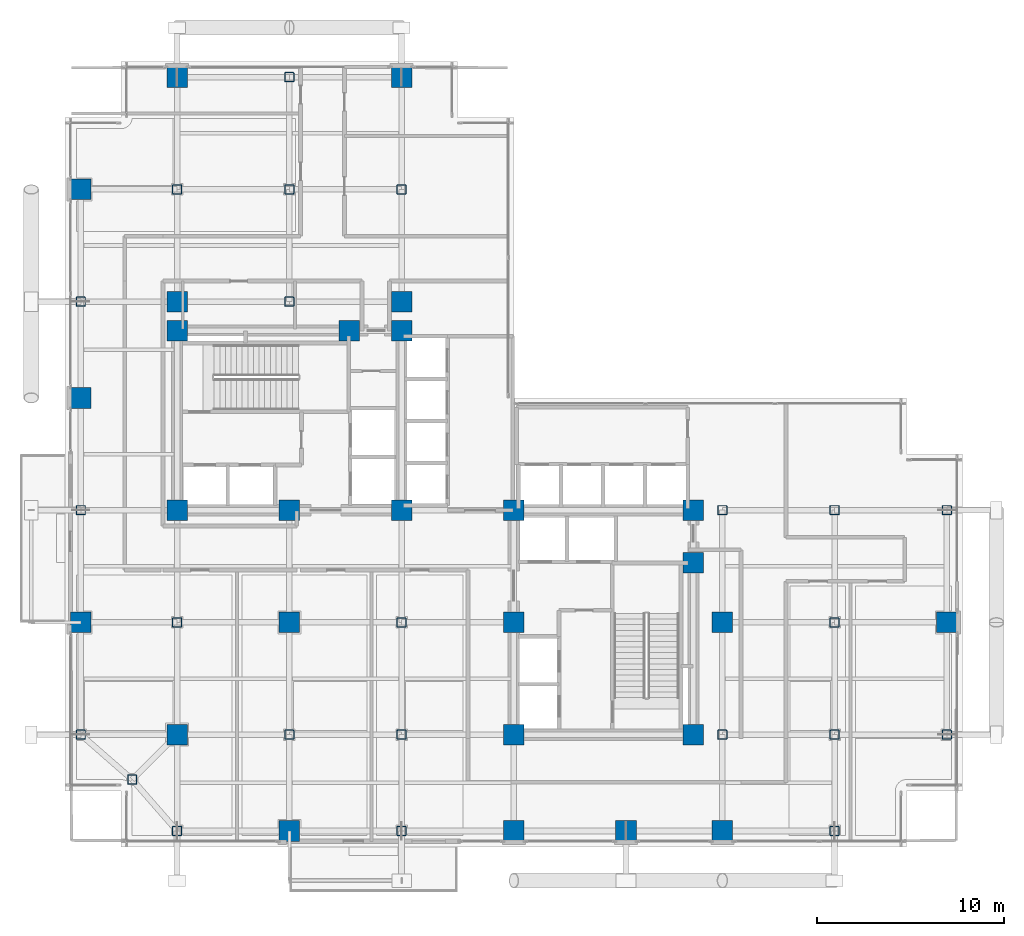
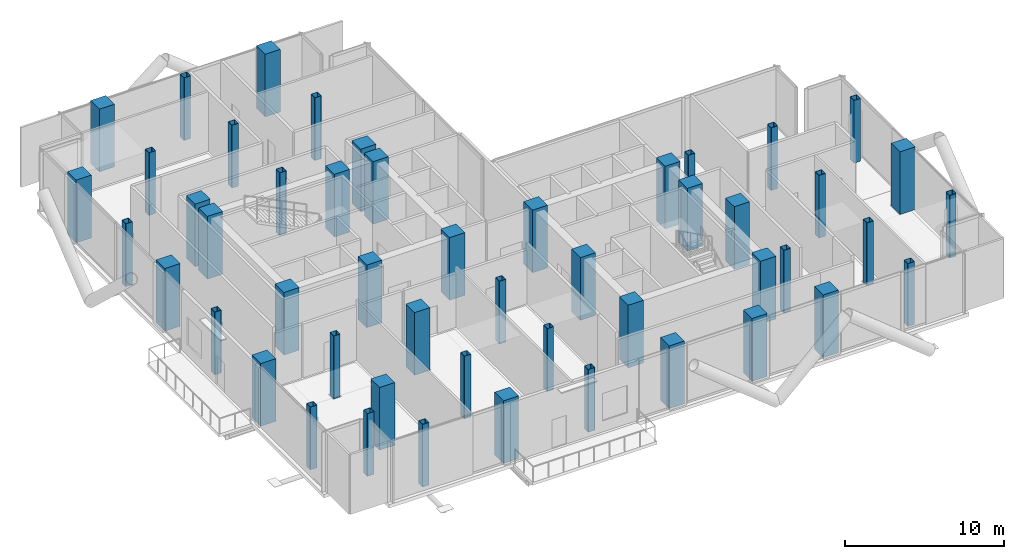
# One storey, part 1 of 25: 50 columns.
"""IFC4 building model written with IfcOpenShell, lengths in metres."""

from ifc_helpers import new_model, si_unit, direction, frame, origin, origin_2d, place, context, subcontext, project, spatial, rectangle, hollow_rectangle, extrude, material, material_profile, profile_set, type_object, element, save


model = new_model("IFC4")

# Units and contexts
model_context = context("Model", 3, precision=1e-05, world=origin(), true_north=direction((0.0, 1.0)))
body_context = subcontext(model_context, "Body", "Model", "MODEL_VIEW")
ifc_project = project(units=[si_unit("LENGTHUNIT", "METRE"), si_unit("AREAUNIT", "SQUARE_METRE"), si_unit("VOLUMEUNIT", "CUBIC_METRE"), si_unit("PLANEANGLEUNIT", "RADIAN"), si_unit("MASSUNIT", "GRAM", prefix="KILO"), si_unit("THERMODYNAMICTEMPERATUREUNIT", "KELVIN"), si_unit("POWERUNIT", "WATT")], contexts=[model_context])

# Site, building, storey
site_placement = place(None, origin())
site = spatial("IfcSite", under=ifc_project, at=site_placement, CompositionType="ELEMENT")
building_placement = place(site_placement, origin())
building = spatial("IfcBuilding", under=site, at=building_placement, Name="Svarakhadi Broadcast Tower", CompositionType="ELEMENT")
storey_placement = place(building_placement, frame((0.0, 0.0, 110.85009765625)))
storey = spatial("IfcBuildingStorey", under=building, at=storey_placement, Name="L26", CompositionType="ELEMENT", Elevation=110.85009765625)

# Columns
ifc_material_1 = material(Name="Concrete C50/60 (IS 456 M60)", Category="concrete")
ifc_material_profile_1 = material_profile(ifc_material_1, rectangle(XDim=1.10009765625, YDim=1.10009765625, at=origin_2d()), Name="RC 1100x1100")
ifc_profile_set_1 = profile_set([ifc_material_profile_1], Name="Concrete C50/60 (IS 456 M60)")
column_type_1 = type_object("IfcColumnType", Name="Col_RC1100", PredefinedType="COLUMN", material=ifc_profile_set_1)
for number, where, z_axis, x_axis, name in (
    (1, (6.0, 18.0, 0.0), (0.0, 0.0, 1.0), (1.0, 0.0, 0.0), "L26 Column CW1"),
    (2, (12.0, 18.0, 0.0), (0.0, 0.0, 1.0), (1.0, 0.0, 0.0), "L26 Column CW2"),
    (3, (18.0, 18.0, 0.0), (0.0, 0.0, 1.0), (1.0, 0.0, 0.0), "L26 Column CW3"),
    (4, (6.0, 27.60009765625, 0.0), (0.0, 0.0, 1.0), (1.0, 0.0, 0.0), "L26 Column CW4"),
    (5, (15.199951171875, 27.60009765625, 0.0), (0.0, 0.0, 1.0), (1.0, 0.0, 0.0), "L26 Column CW5"),
    (6, (18.0, 27.60009765625, 0.0), (0.0, 0.0, 1.0), (1.0, 0.0, 0.0), "L26 Column CW6"),
    (7, (24.0, 6.0, 0.0), (0.0, 0.0, 1.0), (1.0, 0.0, 0.0), "L26 Column CE1"),
    (8, (24.0, 12.0, 0.0), (0.0, 0.0, 1.0), (1.0, 0.0, 0.0), "L26 Column CE2"),
    (9, (24.0, 18.0, 0.0), (0.0, 0.0, 1.0), (1.0, 0.0, 0.0), "L26 Column CE3"),
    (10, (33.60009765625, 6.0, 0.0), (0.0, 0.0, 1.0), (1.0, 0.0, 0.0), "L26 Column CE4"),
    (11, (33.60009765625, 15.199951171875, 0.0), (0.0, 0.0, 1.0), (1.0, 0.0, 0.0), "L26 Column CE5"),
    (12, (33.60009765625, 18.0, 0.0), (0.0, 0.0, 1.0), (1.0, 0.0, 0.0), "L26 Column CE6"),
    (13, (0.85009765625, 12.0, 0.0), (0.0, 0.0, 1.0), (1.0, 0.0, 0.0), "L26 Column G04"),
    (14, (0.85009765625, 24.0, 0.0), (0.0, 0.0, 1.0), (1.0, 0.0, 0.0), "L26 Column G06"),
    (15, (0.85009765625, 35.14990234375, 0.0), (0.0, 0.0, 1.0), (1.0, 0.0, 0.0), "L26 Column G08"),
    (16, (6.0, 6.0, 0.0), (0.0, 0.0, 1.0), (1.0, 0.0, 0.0), "L26 Column G12"),
    (17, (6.0, 29.14990234375, 0.0), (0.0, 0.0, 1.0), (1.0, 0.0, 0.0), "L26 Column G14"),
    (18, (6.0, 41.14990234375, 0.0), (0.0, 0.0, 1.0), (1.0, 0.0, 0.0), "L26 Column G16"),
    (19, (12.0, 0.85009765625, 0.0), (0.0, 0.0, 1.0), (1.0, 0.0, 0.0), "L26 Column G18"),
    (20, (12.0, 12.0, 0.0), (0.0, 0.0, 1.0), (1.0, 0.0, 0.0), "L26 Column G20"),
    (21, (18.0, 29.14990234375, 0.0), (0.0, 0.0, 1.0), (1.0, 0.0, 0.0), "L26 Column G28"),
    (22, (18.0, 41.14990234375, 0.0), (0.0, 0.0, 1.0), (1.0, 0.0, 0.0), "L26 Column G30"),
    (23, (24.0, 0.85009765625, 0.0), (0.0, 0.0, 1.0), (1.0, 0.0, 0.0), "L26 Column G32"),
    (24, (30.0, 0.85009765625, 0.0), (0.0, 0.0, 1.0), (1.0, 0.0, 0.0), "L26 Column G36"),
    (25, (35.14990234375, 0.85009765625, 0.0), (0.0, 0.0, 1.0), (1.0, 0.0, 0.0), "L26 Column G38"),
    (26, (35.14990234375, 12.0, 0.0), (0.0, 0.0, 1.0), (1.0, 0.0, 0.0), "L26 Column G40"),
    (27, (47.14990234375, 12.0, 0.0), (0.0, 0.0, 1.0), (1.0, 0.0, 0.0), "L26 Column G52"),
):
    element("IfcColumn", number, at=place(storey_placement, frame(where, z_axis=z_axis, x_axis=x_axis)), inside=storey, type_object=column_type_1, Name=name, PredefinedType="COLUMN", context=body_context, shape_type="SweptSolid", body=[
        extrude(rectangle(XDim=1.10009765625, YDim=1.10009765625, at=origin_2d()), origin(), (0.0, 0.0, 1.0), 4.7998046875),
    ])
ifc_material_2 = material(Name="Steel S460ML (IS 2062 E450BR)", Category="steel")
ifc_material_profile_2 = material_profile(ifc_material_2, hollow_rectangle(XDim=0.5, YDim=0.5, WallThickness=0.02490234375, InnerFilletRadius=0.02490234375, OuterFilletRadius=0.0400390625, at=origin_2d()), Name="SHS 500x500x25")
ifc_profile_set_2 = profile_set([ifc_material_profile_2], Name="Steel S460ML (IS 2062 E450BR)")
column_type_2 = type_object("IfcColumnType", Name="Col_SHS500", PredefinedType="COLUMN", material=ifc_profile_set_2)
for number, where, z_axis, x_axis, name in (
    (28, (3.60009765625, 3.60009765625, 0.0), (0.0, 0.0, 1.0), (1.0, 0.0, 0.0), "L26 Column G01"),
    (29, (0.85009765625, 6.0, 0.0), (0.0, 0.0, 1.0), (1.0, 0.0, 0.0), "L26 Column G03"),
    (30, (0.85009765625, 18.0, 0.0), (0.0, 0.0, 1.0), (1.0, 0.0, 0.0), "L26 Column G05"),
    (31, (0.85009765625, 29.14990234375, 0.0), (0.0, 0.0, 1.0), (1.0, 0.0, 0.0), "L26 Column G07"),
    (32, (6.0, 0.85009765625, 0.0), (0.0, 0.0, 1.0), (1.0, 0.0, 0.0), "L26 Column G11"),
    (33, (6.0, 12.0, 0.0), (0.0, 0.0, 1.0), (1.0, 0.0, 0.0), "L26 Column G13"),
    (34, (6.0, 35.14990234375, 0.0), (0.0, 0.0, 1.0), (1.0, 0.0, 0.0), "L26 Column G15"),
    (35, (12.0, 6.0, 0.0), (0.0, 0.0, 1.0), (1.0, 0.0, 0.0), "L26 Column G19"),
    (36, (12.0, 29.14990234375, 0.0), (0.0, 0.0, 1.0), (1.0, 0.0, 0.0), "L26 Column G21"),
    (37, (12.0, 35.14990234375, 0.0), (0.0, 0.0, 1.0), (1.0, 0.0, 0.0), "L26 Column G22"),
    (38, (12.0, 41.14990234375, 0.0), (0.0, 0.0, 1.0), (1.0, 0.0, 0.0), "L26 Column G23"),
    (39, (18.0, 0.85009765625, 0.0), (0.0, 0.0, 1.0), (1.0, 0.0, 0.0), "L26 Column G25"),
    (40, (18.0, 6.0, 0.0), (0.0, 0.0, 1.0), (1.0, 0.0, 0.0), "L26 Column G26"),
    (41, (18.0, 12.0, 0.0), (0.0, 0.0, 1.0), (1.0, 0.0, 0.0), "L26 Column G27"),
    (42, (18.0, 35.14990234375, 0.0), (0.0, 0.0, 1.0), (1.0, 0.0, 0.0), "L26 Column G29"),
    (43, (35.14990234375, 6.0, 0.0), (0.0, 0.0, 1.0), (1.0, 0.0, 0.0), "L26 Column G39"),
    (44, (35.14990234375, 18.0, 0.0), (0.0, 0.0, 1.0), (1.0, 0.0, 0.0), "L26 Column G41"),
    (45, (41.14990234375, 0.85009765625, 0.0), (0.0, 0.0, 1.0), (1.0, 0.0, 0.0), "L26 Column G43"),
    (46, (41.14990234375, 6.0, 0.0), (0.0, 0.0, 1.0), (1.0, 0.0, 0.0), "L26 Column G44"),
    (47, (41.14990234375, 12.0, 0.0), (0.0, 0.0, 1.0), (1.0, 0.0, 0.0), "L26 Column G45"),
    (48, (41.14990234375, 18.0, 0.0), (0.0, 0.0, 1.0), (1.0, 0.0, 0.0), "L26 Column G46"),
    (49, (47.14990234375, 6.0, 0.0), (0.0, 0.0, 1.0), (1.0, 0.0, 0.0), "L26 Column G51"),
    (50, (47.14990234375, 18.0, 0.0), (0.0, 0.0, 1.0), (1.0, 0.0, 0.0), "L26 Column G53"),
):
    element("IfcColumn", number, at=place(storey_placement, frame(where, z_axis=z_axis, x_axis=x_axis)), inside=storey, type_object=column_type_2, Name=name, PredefinedType="COLUMN", context=body_context, shape_type="SweptSolid", body=[
        extrude(hollow_rectangle(XDim=0.5, YDim=0.5, WallThickness=0.02490234375, InnerFilletRadius=0.02490234375, OuterFilletRadius=0.0400390625, at=origin_2d()), origin(), (0.0, 0.0, 1.0), 4.7998046875),
    ])

save(model, "model.ifc")
